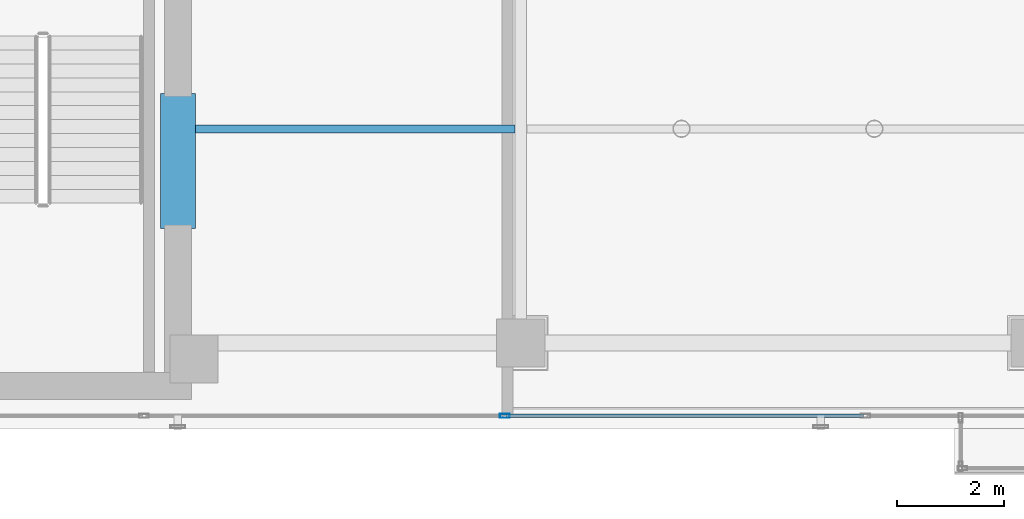
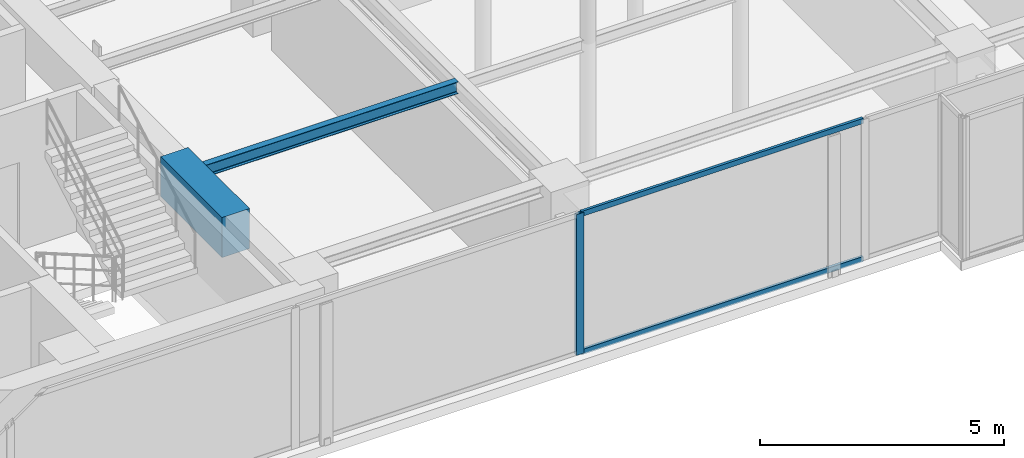
# One storey, part 6 of 32: 3 members, 2 beams, 1 element without a shape of its own.
"""IFC4 building model written with IfcOpenShell, lengths in metres."""

from ifc_helpers import new_model, si_unit, direction, frame, origin, origin_with_axes, origin_2d, place, context, subcontext, project, spatial, rectangle, hollow_rectangle, i_section, extrude, source, transform, mapped, material, layer, layer_set, material_profile, profile_set, type_object, element, aggregate, save


model = new_model("IFC4")

# Units and contexts
model_context = context("Model", 3, precision=1e-05, world=origin(), true_north=direction((0.0, 1.0)))
body_context = subcontext(model_context, "Body", "Model", "MODEL_VIEW")
ifc_project = project(units=[si_unit("LENGTHUNIT", "METRE"), si_unit("AREAUNIT", "SQUARE_METRE"), si_unit("VOLUMEUNIT", "CUBIC_METRE"), si_unit("PLANEANGLEUNIT", "RADIAN"), si_unit("MASSUNIT", "GRAM", prefix="KILO")], contexts=[model_context])

# Site, building, storey
site_placement = place(None, origin())
site = spatial("IfcSite", under=ifc_project, at=site_placement, CompositionType="ELEMENT")
building_placement = place(site_placement, origin())
building = spatial("IfcBuilding", under=site, at=building_placement, Name="Kolvaren Waterfront Exchange", CompositionType="ELEMENT")
storey_placement = place(building_placement, frame((0.0, 0.0, 348.10009765625)))
storey = spatial("IfcBuildingStorey", under=building, at=storey_placement, Name="L89", CompositionType="ELEMENT", Elevation=348.10009765625)

# Beams
ifc_material_1 = material(Name="Steel S355", Category="steel")
ifc_material_profile_1 = material_profile(ifc_material_1, i_section(OverallWidth=0.14990234375, OverallDepth=0.300048828125, WebThickness=0.007080078125, FlangeThickness=0.0107421875, FilletRadius=0.014892578125, at=origin_2d()), Name="IPE300")
ifc_profile_set_1 = profile_set([ifc_material_profile_1], Name="Steel S355")
beam_type_1 = type_object("IfcBeamType", Name="STR-BM-IPE300", PredefinedType="JOIST", material=ifc_profile_set_1)
beam_1_placement = place(storey_placement, frame((21.10009765625, 9.199951171875, 3.369873046875), z_axis=(1.0, 0.0, 0.0), x_axis=(0.0, 1.0, 0.0)))
element("IfcBeam", 1, at=beam_1_placement, inside=storey, type_object=beam_type_1, Name="L89 east-arm composite joist 1B", PredefinedType="JOIST", context=body_context, shape_type="SweptSolid", body=[
    extrude(i_section(OverallWidth=0.14990234375, OverallDepth=0.300048828125, WebThickness=0.007080078125, FlangeThickness=0.0107421875, FilletRadius=0.014892578125, at=origin_2d()), origin(), (0.0, 0.0, 1.0), 5.98779296875),
])
ifc_material_2 = material(Name="Concrete C60/75", Category="concrete")
ifc_material_profile_2 = material_profile(ifc_material_2, rectangle(XDim=0.64990234375, YDim=1.0, at=origin_2d()), Name="RC-CB-1000x650")
ifc_profile_set_2 = profile_set([ifc_material_profile_2], Name="Concrete C60/75")
beam_type_2 = type_object("IfcBeamType", Name="STR-CB-1000", PredefinedType="SPANDREL", material=ifc_profile_set_2)
beam_2_placement = place(storey_placement, frame((20.800048828125, 7.340087890625, 3.02001953125), z_axis=(0.0, 1.0, 0.0), x_axis=(-1.0, 0.0, 0.0)))
element("IfcBeam", 2, at=beam_2_placement, inside=storey, type_object=beam_type_2, Name="L89 core coupling beam 1", PredefinedType="SPANDREL", context=body_context, shape_type="SweptSolid", body=[
    extrude(rectangle(XDim=0.64990234375, YDim=1.0, at=origin_2d()), origin(), (0.0, 0.0, 1.0), 2.52001953125),
])

# Curtain wall, members
ifc_material_3 = material(Name="Anodised bronze aluminium 6063-T6", Category="aluminium")
ifc_layer = layer(ifc_material_3, 0.219970703125, Name="Anodised bronze aluminium 6063-T6")
ifc_layer_set = layer_set([ifc_layer], Name="Anodised bronze aluminium 6063-T6")
curtain_wall_type = type_object("IfcCurtainWallType", Name="ARC-CW-SYS5", PredefinedType="USERDEFINED", material=ifc_layer_set)
curtain_wall_placement = place(storey_placement, origin())
curtain_wall = element("IfcCurtainWall", 3, at=curtain_wall_placement, inside=storey, type_object=curtain_wall_type, Name="L89 stick curtain wall CW5 (CW-L89-S)", ObjectType="STICK CURTAIN WALL", PredefinedType="USERDEFINED")
ifc_material_profile_3 = material_profile(ifc_material_3, hollow_rectangle(XDim=0.06494140625, YDim=0.1298828125, WallThickness=0.00390625, at=origin_2d()), Name="ALU-TRN-130x65x4")
ifc_profile_set_3 = profile_set([ifc_material_profile_3], Name="Anodised bronze aluminium 6063-T6")
member_type_1 = type_object("IfcMemberType", Name="ARC-CWT-130", PredefinedType="USERDEFINED", material=ifc_profile_set_3)
shared_shape_1 = source(origin_with_axes(), body_context, "Body", "SweptSolid", [
    extrude(hollow_rectangle(XDim=0.06494140625, YDim=0.1298828125, WallThickness=0.00390625, at=origin_2d()), origin(), (0.0, 0.0, 1.0), 6.658447265625),
])
member_1_placement = place(storey_placement, frame((26.9375, 3.840087890625, 0.032470703125), z_axis=(1.0, 0.0, 0.0), x_axis=(0.0, 1.0, 0.0)))
member_1 = element("IfcMember", 4, at=member_1_placement, type_object=member_type_1, Name="CW5 transom 4.1", ObjectType="TRANSOM", PredefinedType="USERDEFINED", context=body_context, shape_type="MappedRepresentation", body=[
    mapped(shared_shape_1, transform((0.0, 0.0, 0.0), x_axis=(1.0, 0.0, 0.0), y_axis=(0.0, 1.0, 0.0), z_axis=(0.0, 0.0, 1.0), scale=1.0)),
])
member_2_placement = place(storey_placement, frame((26.9375, 3.840087890625, 3.4873046875), z_axis=(1.0, 0.0, 0.0), x_axis=(0.0, 1.0, 0.0)))
member_2 = element("IfcMember", 5, at=member_2_placement, type_object=member_type_1, Name="CW5 transom 4.2", ObjectType="TRANSOM", PredefinedType="USERDEFINED", context=body_context, shape_type="MappedRepresentation", body=[
    mapped(shared_shape_1, transform((0.0, 0.0, 0.0), x_axis=(1.0, 0.0, 0.0), y_axis=(0.0, 1.0, 0.0), z_axis=(0.0, 0.0, 1.0), scale=1.0)),
])
ifc_material_profile_4 = material_profile(ifc_material_3, hollow_rectangle(XDim=0.074951171875, YDim=0.179931640625, WallThickness=0.00439453125, at=origin_2d()), Name="ALU-MUL-180x75x4.5")
ifc_profile_set_4 = profile_set([ifc_material_profile_4], Name="Anodised bronze aluminium 6063-T6")
member_type_2 = type_object("IfcMemberType", Name="ARC-CWM-180", PredefinedType="MULLION", material=ifc_profile_set_4)
shared_shape_2 = source(origin_with_axes(), body_context, "Body", "SweptSolid", [
    extrude(hollow_rectangle(XDim=0.074951171875, YDim=0.179931640625, WallThickness=0.00439453125, at=origin_2d()), origin(), (0.0, 0.0, 1.0), 3.52001953125),
])
member_3_placement = place(storey_placement, frame((26.89990234375, 3.840087890625, 0.0), z_axis=(0.0, 0.0, 1.0), x_axis=(0.0, 1.0, 0.0)))
member_3 = element("IfcMember", 6, at=member_3_placement, type_object=member_type_2, Name="CW5 mullion 4", PredefinedType="MULLION", context=body_context, shape_type="MappedRepresentation", body=[
    mapped(shared_shape_2, transform((0.0, 0.0, 0.0), x_axis=(1.0, 0.0, 0.0), y_axis=(0.0, 1.0, 0.0), z_axis=(0.0, 0.0, 1.0), scale=1.0)),
])
aggregate(curtain_wall, [member_3, member_1, member_2])

save(model, "model.ifc")
